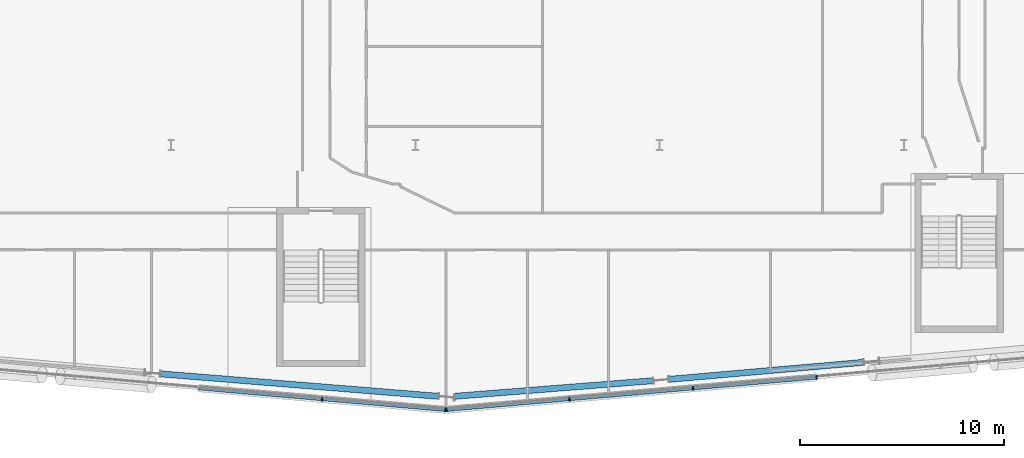
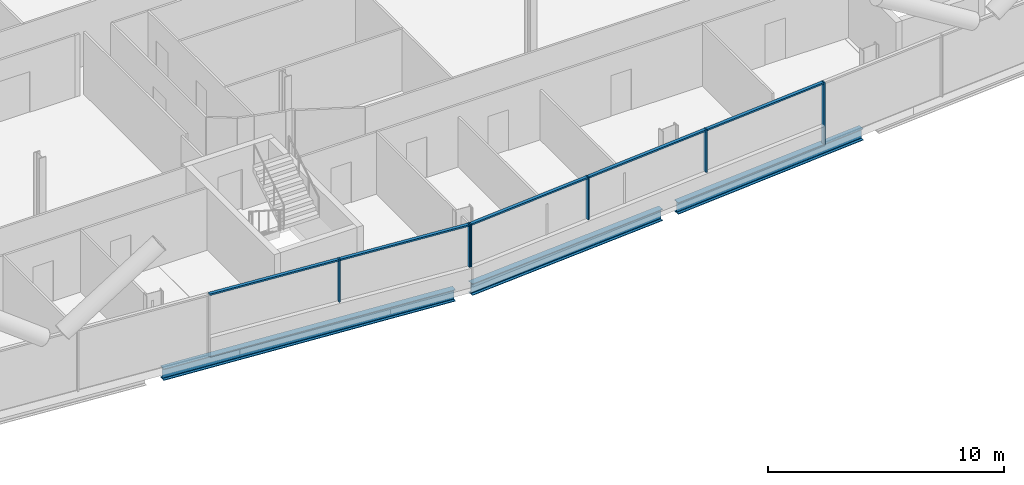
# One storey, part 7 of 28: 11 members, 3 beams, 2 elements without a shape of their own.
"""IFC4 building model written with IfcOpenShell, lengths in metres."""

from ifc_helpers import new_model, si_unit, direction, frame, origin, origin_2d, place, context, subcontext, project, spatial, rectangle, i_section, extrude, material, material_profile, profile_set, type_object, element, aggregate, save


model = new_model("IFC4")

# Units and contexts
model_context = context("Model", 3, precision=1e-05, world=origin(), true_north=direction((0.0, 1.0)))
body_context = subcontext(model_context, "Body", "Model", "MODEL_VIEW")
ifc_project = project(units=[si_unit("LENGTHUNIT", "METRE"), si_unit("AREAUNIT", "SQUARE_METRE"), si_unit("VOLUMEUNIT", "CUBIC_METRE"), si_unit("PLANEANGLEUNIT", "RADIAN"), si_unit("MASSUNIT", "GRAM", prefix="KILO")], contexts=[model_context])

# Site, building, storey
site_placement = place(None, origin())
site = spatial("IfcSite", under=ifc_project, at=site_placement, CompositionType="ELEMENT")
building_placement = place(site_placement, origin())
building = spatial("IfcBuilding", under=site, at=building_placement, Name="Wharfspan Tower", CompositionType="ELEMENT")
storey_placement = place(building_placement, frame((0.0, 0.0, 132.699951)))
storey = spatial("IfcBuildingStorey", under=building, at=storey_placement, Name="L31", CompositionType="ELEMENT", Elevation=132.699951)

# Beams
ifc_material_1 = material(Name="Steel S355J2", Category="steel")
ifc_material_profile_1 = material_profile(ifc_material_1, i_section(OverallWidth=0.300049, OverallDepth=0.600098, WebThickness=0.015381, FlangeThickness=0.030029, FilletRadius=0.0271, at=origin_2d()))
ifc_profile_set_1 = profile_set([ifc_material_profile_1], Name="Steel S355J2")
beam_type = type_object("IfcBeamType", Name="Edge beam HEB 600", PredefinedType="SPANDREL", material=ifc_profile_set_1)
beam_1_placement = place(storey_placement, frame((35.490967, 0.252197, -0.699951), z_axis=(0.996756, -0.080488, 0.0), x_axis=(0.080488, 0.996756, 0.0)))
element("IfcBeam", 1, at=beam_1_placement, inside=storey, type_object=beam_type, Name="Edge beam S1 L31 PS1.3 to PS1.4", PredefinedType="SPANDREL", context=body_context, shape_type="SweptSolid", body=[
    extrude(i_section(OverallWidth=0.300049, OverallDepth=0.600098, WebThickness=0.015381, FlangeThickness=0.030029, FilletRadius=0.0271, at=origin_2d()), origin(), (0.0, 0.0, 1.0), 13.683105),
])
beam_2_placement = place(storey_placement, frame((49.938721, -0.849365, -0.699951), z_axis=(0.996913, 0.078508, 0.0), x_axis=(-0.078508, 0.996913, 0.0)))
element("IfcBeam", 2, at=beam_2_placement, inside=storey, type_object=beam_type, Name="Edge beam S2 L31 PS1.4 to PS2.1", PredefinedType="SPANDREL", context=body_context, shape_type="SweptSolid", body=[
    extrude(i_section(OverallWidth=0.300049, OverallDepth=0.600098, WebThickness=0.015381, FlangeThickness=0.030029, FilletRadius=0.0271, at=origin_2d()), origin(), (0.0, 0.0, 1.0), 9.767578),
])
beam_3_placement = place(storey_placement, frame((60.479492, -0.015625, -0.699951), z_axis=(0.996194, 0.087164, 0.0), x_axis=(-0.087164, 0.996194, 0.0)))
element("IfcBeam", 3, at=beam_3_placement, inside=storey, type_object=beam_type, Name="Edge beam S2 L31 PS2.1 to PS2.2", PredefinedType="SPANDREL", context=body_context, shape_type="SweptSolid", body=[
    extrude(i_section(OverallWidth=0.300049, OverallDepth=0.600098, WebThickness=0.015381, FlangeThickness=0.030029, FilletRadius=0.0271, at=origin_2d()), origin(), (0.0, 0.0, 1.0), 9.55957),
])

# Curtain wall, members
ifc_material_2 = material(Name="Aluminium 6063-T6", Category="aluminium")
curtain_wall_type = type_object("IfcCurtainWallType", Name="CURTAIN WALL FACETED FRONT", PredefinedType="NOTDEFINED", material=ifc_material_2)
curtain_wall_1_placement = place(storey_placement, origin())
curtain_wall_1 = element("IfcCurtainWall", 4, at=curtain_wall_1_placement, inside=storey, type_object=curtain_wall_type, Name="Curtain wall S1", PredefinedType="NOTDEFINED")
ifc_material_profile_2 = material_profile(ifc_material_2, rectangle(XDim=0.199951, YDim=0.060059, at=origin_2d()))
ifc_profile_set_2 = profile_set([ifc_material_profile_2], Name="Aluminium 6063-T6")
member_type_1 = type_object("IfcMemberType", Name="MULLION FACETED FRONT 60x200", PredefinedType="MULLION", material=ifc_profile_set_2)
member_1_placement = place(storey_placement, frame((43.416748, -0.986084, 1.0), z_axis=(0.0, 0.0, 1.0), x_axis=(0.087156, 0.996198, 0.0)))
member_1 = element("IfcMember", 5, at=member_1_placement, type_object=member_type_1, Name="Curtain wall S1 mullion 6", PredefinedType="MULLION", context=body_context, shape_type="SweptSolid", body=[
    extrude(rectangle(XDim=0.199951, YDim=0.060059, at=origin_2d()), origin(), (0.0, 0.0, 1.0), 2.199951),
])
member_2_placement = place(storey_placement, frame((49.470215, -1.515625, 1.0), z_axis=(0.0, 0.0, 1.0), x_axis=(0.087156, 0.996198, 0.0)))
member_2 = element("IfcMember", 6, at=member_2_placement, type_object=member_type_1, Name="Curtain wall S1 mullion 7", PredefinedType="MULLION", context=body_context, shape_type="SweptSolid", body=[
    extrude(rectangle(XDim=0.199951, YDim=0.060059, at=origin_2d()), origin(), (0.0, 0.0, 1.0), 2.199951),
])

curtain_wall_2_placement = place(storey_placement, origin())
curtain_wall_2 = element("IfcCurtainWall", 7, at=curtain_wall_2_placement, inside=storey, type_object=curtain_wall_type, Name="Curtain wall S2", PredefinedType="NOTDEFINED")
member_3_placement = place(storey_placement, frame((49.529785, -1.515625, 1.0), z_axis=(0.0, 0.0, 1.0), x_axis=(-0.087156, 0.996198, 0.0)))
member_3 = element("IfcMember", 8, at=member_3_placement, type_object=member_type_1, Name="Curtain wall S2 mullion 1", PredefinedType="MULLION", context=body_context, shape_type="SweptSolid", body=[
    extrude(rectangle(XDim=0.199951, YDim=0.060059, at=origin_2d()), origin(), (0.0, 0.0, 1.0), 2.199951),
])
member_4_placement = place(storey_placement, frame((55.571533, -0.987061, 1.0), z_axis=(0.0, 0.0, 1.0), x_axis=(-0.087156, 0.996198, 0.0)))
member_4 = element("IfcMember", 9, at=member_4_placement, type_object=member_type_1, Name="Curtain wall S2 mullion 2", PredefinedType="MULLION", context=body_context, shape_type="SweptSolid", body=[
    extrude(rectangle(XDim=0.199951, YDim=0.060059, at=origin_2d()), origin(), (0.0, 0.0, 1.0), 2.199951),
])
member_5_placement = place(storey_placement, frame((61.642822, -0.455811, 1.0), z_axis=(0.0, 0.0, 1.0), x_axis=(-0.087156, 0.996198, 0.0)))
member_5 = element("IfcMember", 10, at=member_5_placement, type_object=member_type_1, Name="Curtain wall S2 mullion 3", PredefinedType="MULLION", context=body_context, shape_type="SweptSolid", body=[
    extrude(rectangle(XDim=0.199951, YDim=0.060059, at=origin_2d()), origin(), (0.0, 0.0, 1.0), 2.199951),
])
member_6_placement = place(storey_placement, frame((67.714355, 0.075195, 0.0), z_axis=(0.0, 0.0, 1.0), x_axis=(-0.087156, 0.996198, 0.0)))
member_6 = element("IfcMember", 11, at=member_6_placement, type_object=member_type_1, Name="Curtain wall S2 mullion 4", PredefinedType="MULLION", context=body_context, shape_type="SweptSolid", body=[
    extrude(rectangle(XDim=0.199951, YDim=0.060059, at=origin_2d()), origin(), (0.0, 0.0, 1.0), 3.199951),
])

# Member
ifc_material_profile_3 = material_profile(ifc_material_2, rectangle(XDim=0.159912, YDim=0.080078, at=origin_2d()))
ifc_profile_set_3 = profile_set([ifc_material_profile_3], Name="Aluminium 6063-T6")
member_type_2 = type_object("IfcMemberType", Name="TRANSOM FACETED FRONT 80x160", PredefinedType="USERDEFINED", material=ifc_profile_set_3)
member_7_placement = place(storey_placement, frame((37.363281, -0.456543, 3.160156), z_axis=(0.996197, -0.087135, 0.0), x_axis=(0.087135, 0.996197, 0.0)))
member_7 = element("IfcMember", 12, at=member_7_placement, type_object=member_type_2, Name="Curtain wall S1 transom 5", ObjectType="TRANSOM", PredefinedType="USERDEFINED", context=body_context, shape_type="SweptSolid", body=[
    extrude(rectangle(XDim=0.159912, YDim=0.080078, at=origin_2d()), origin(), (0.0, 0.0, 1.0), 6.046387),
])

member_8_placement = place(storey_placement, frame((43.446533, -0.98877, 3.160156), z_axis=(0.996198, -0.087122, 0.0), x_axis=(0.087122, 0.996198, 0.0)))
member_8 = element("IfcMember", 13, at=member_8_placement, type_object=member_type_2, Name="Curtain wall S1 transom 6", ObjectType="TRANSOM", PredefinedType="USERDEFINED", context=body_context, shape_type="SweptSolid", body=[
    extrude(rectangle(XDim=0.159912, YDim=0.080078, at=origin_2d()), origin(), (0.0, 0.0, 1.0), 6.016602),
])

aggregate(curtain_wall_1, [member_1, member_2, member_7, member_8])

member_9_placement = place(storey_placement, frame((49.559814, -1.512939, 3.160156), z_axis=(0.996197, 0.087133, 0.0), x_axis=(-0.087133, 0.996197, 0.0)))
member_9 = element("IfcMember", 14, at=member_9_placement, type_object=member_type_2, Name="Curtain wall S2 transom 1", ObjectType="TRANSOM", PredefinedType="USERDEFINED", context=body_context, shape_type="SweptSolid", body=[
    extrude(rectangle(XDim=0.159912, YDim=0.080078, at=origin_2d()), origin(), (0.0, 0.0, 1.0), 6.004639),
])

member_10_placement = place(storey_placement, frame((55.601318, -0.984375, 3.160156), z_axis=(0.996196, 0.087143, 0.0), x_axis=(-0.087143, 0.996196, 0.0)))
member_10 = element("IfcMember", 15, at=member_10_placement, type_object=member_type_2, Name="Curtain wall S2 transom 2", ObjectType="TRANSOM", PredefinedType="USERDEFINED", context=body_context, shape_type="SweptSolid", body=[
    extrude(rectangle(XDim=0.159912, YDim=0.080078, at=origin_2d()), origin(), (0.0, 0.0, 1.0), 6.034668),
])

member_11_placement = place(storey_placement, frame((61.672852, -0.453369, 3.160156), z_axis=(0.996192, 0.087187, 0.0), x_axis=(-0.087187, 0.996192, 0.0)))
member_11 = element("IfcMember", 16, at=member_11_placement, type_object=member_type_2, Name="Curtain wall S2 transom 3", ObjectType="TRANSOM", PredefinedType="USERDEFINED", context=body_context, shape_type="SweptSolid", body=[
    extrude(rectangle(XDim=0.159912, YDim=0.080078, at=origin_2d()), origin(), (0.0, 0.0, 1.0), 6.034424),
])

aggregate(curtain_wall_2, [member_3, member_4, member_5, member_6, member_9, member_10, member_11])

save(model, "model.ifc")
